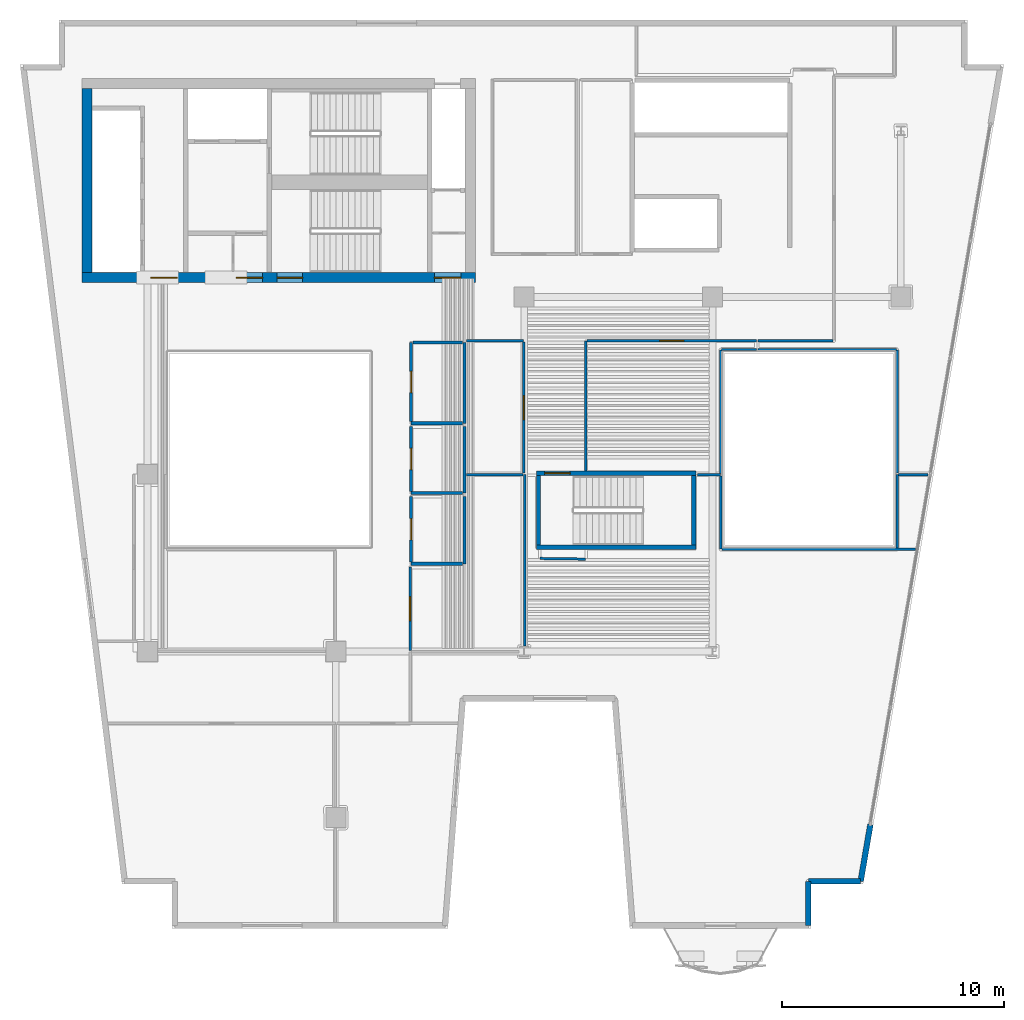
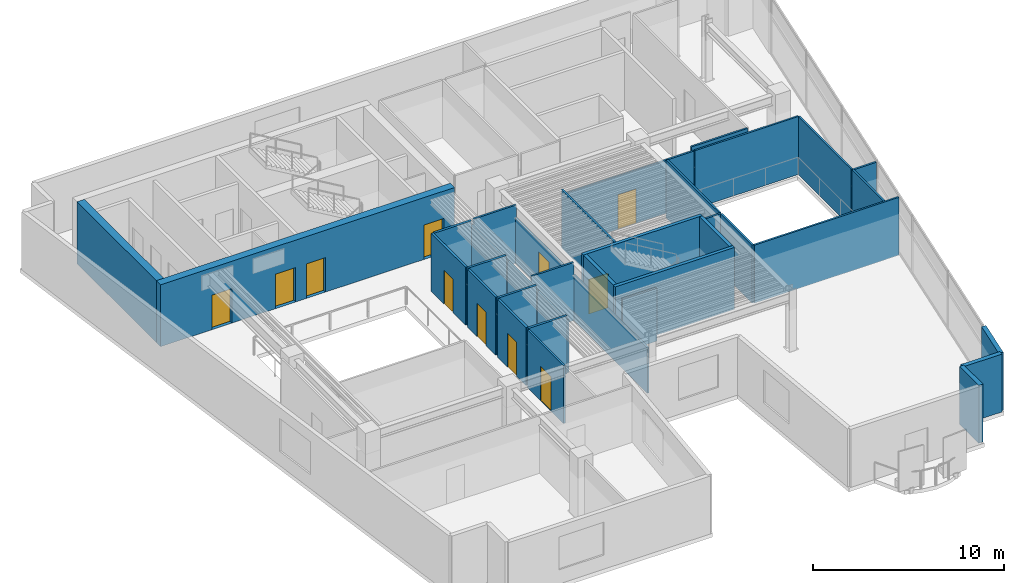
# One storey, part 4 of 10: 37 walls, 11 doors, 11 openings.
"""IFC4 building model written with IfcOpenShell, lengths in metres."""

from ifc_helpers import new_model, si_unit, direction, frame, frame_2d, origin, place, context, subcontext, project, spatial, rectangle, extrude, material, layer, layer_set, type_object, element, fill, save


model = new_model("IFC4")

# Units and contexts
model_context = context("Model", 3, precision=1e-05, world=origin(), true_north=direction((0.0, 1.0)))
body_context = subcontext(model_context, "Body", "Model", "MODEL_VIEW")
ifc_project = project(units=[si_unit("LENGTHUNIT", "METRE"), si_unit("AREAUNIT", "SQUARE_METRE"), si_unit("VOLUMEUNIT", "CUBIC_METRE"), si_unit("PLANEANGLEUNIT", "RADIAN"), si_unit("MASSUNIT", "GRAM", prefix="KILO")], contexts=[model_context])

# Site, building, storey
site_placement = place(None, origin())
site = spatial("IfcSite", under=ifc_project, at=site_placement, CompositionType="ELEMENT")
building_placement = place(site_placement, origin())
building = spatial("IfcBuilding", under=site, at=building_placement, Name="Caeloran Harvest Quay", CompositionType="ELEMENT")
storey_placement = place(building_placement, frame((0.0, 0.0, 183.75)))
storey = spatial("IfcBuildingStorey", under=building, at=storey_placement, Name="L43", CompositionType="ELEMENT", Elevation=183.75)

# Walls
ifc_material_1 = material(Name="Precast concrete C50/60", Category="concrete")
ifc_layer_1 = layer(ifc_material_1, 0.260009765625, Name="Precast concrete C50/60")
ifc_layer_set_1 = layer_set([ifc_layer_1], Name="Precast concrete C50/60")
wall_type_1 = type_object("IfcWallType", Name="ENV-WALL-EW-260", PredefinedType="STANDARD", material=ifc_layer_set_1)
wall_1_placement = place(storey_placement, frame((41.127685546875, 7.1923828125, 0.0), z_axis=(0.0, 0.0, 1.0), x_axis=(-0.169391215599, -0.98554889076, 0.0)))
element("IfcWall", 1, at=wall_1_placement, inside=storey, type_object=wall_type_1, Name="L43 Exterior Facade Corner Pier Wall 9B", PredefinedType="STANDARD", context=body_context, shape_type="SweptSolid", body=[
    extrude(rectangle(XDim=2.60009765625, YDim=0.260009765625, at=frame_2d((1.300048828125, 0.0))), origin(), (0.0, 0.0, 1.0), 3.699951171875),
])
wall_2_placement = place(storey_placement, frame((40.687255859375, 4.6298828125, 0.0), z_axis=(0.0, 0.0, 1.0), x_axis=(-1.0, 0.0, 0.0)))
element("IfcWall", 2, at=wall_2_placement, inside=storey, type_object=wall_type_1, Name="L43 Exterior Precast Concrete Facade Wall 10", PredefinedType="STANDARD", context=body_context, shape_type="SweptSolid", body=[
    extrude(rectangle(XDim=2.3642578125, YDim=0.260009765625, at=frame_2d((1.18212890625, 0.0))), origin(), (0.0, 0.0, 1.0), 3.699951171875),
])
wall_3_placement = place(storey_placement, frame((38.322998046875, 4.6298828125, 0.0), z_axis=(0.0, 0.0, 1.0), x_axis=(0.0, -1.0, 0.0)))
element("IfcWall", 3, at=wall_3_placement, inside=storey, type_object=wall_type_1, Name="L43 Exterior Precast Concrete Facade Wall 11", PredefinedType="STANDARD", context=body_context, shape_type="SweptSolid", body=[
    extrude(rectangle(XDim=2.0, YDim=0.260009765625, at=frame_2d((1.0, 0.0))), origin(), (0.0, 0.0, 1.0), 3.699951171875),
])
ifc_material_2 = material(Name="Single-Stud Acoustic Gypsum Office Partition", Category="gypsum")
ifc_layer_2 = layer(ifc_material_2, 0.112060546875, Name="Single-Stud Acoustic Gypsum Office Partition")
ifc_layer_set_2 = layer_set([ifc_layer_2], Name="Single-Stud Acoustic Gypsum Office Partition")
wall_type_2 = type_object("IfcWallType", Name="INT-WALL-PW-112", PredefinedType="PARTITIONING", material=ifc_layer_set_2)
wall_4_placement = place(storey_placement, frame((33.318115234375, 22.97998046875, 0.0), z_axis=(0.0, 0.0, 1.0), x_axis=(1.0, 0.0, 0.0)))
element("IfcWall", 4, at=wall_4_placement, inside=storey, type_object=wall_type_2, Name="Commodities Research Office Partition Wall", PredefinedType="PARTITIONING", context=body_context, shape_type="SweptSolid", body=[
    extrude(rectangle(XDim=1.052001953125, YDim=0.112060546875, at=frame_2d((0.52587890625, 0.0))), origin(), (0.0, 0.0, 1.0), 3.699951171875),
])
wall_5_placement = place(storey_placement, frame((34.3701171875, 22.9189453125, 0.0), z_axis=(0.0, 0.0, 1.0), x_axis=(0.0, -1.0, 0.0)))
element("IfcWall", 5, at=wall_5_placement, inside=storey, type_object=wall_type_2, Name="Commodities Research Office Partition Wall", PredefinedType="PARTITIONING", context=body_context, shape_type="SweptSolid", body=[
    extrude(rectangle(XDim=3.298828125, YDim=0.112060546875, at=frame_2d((1.6494140625, 0.0))), origin(), (0.0, 0.0, 1.0), 3.699951171875),
])
wall_6_placement = place(storey_placement, frame((34.430908203125, 19.6201171875, 0.0), z_axis=(0.0, 0.0, 1.0), x_axis=(1.0, 0.0, 0.0)))
element("IfcWall", 6, at=wall_6_placement, inside=storey, type_object=wall_type_2, Name="Commodities Research Office Partition Wall", PredefinedType="PARTITIONING", context=body_context, shape_type="SweptSolid", body=[
    extrude(rectangle(XDim=8.72607421875, YDim=0.112060546875, at=frame_2d((4.363037109375, 0.0))), origin(), (0.0, 0.0, 1.0), 3.699951171875),
])
wall_7_placement = place(storey_placement, frame((42.330078125, 19.680908203125, 0.0), z_axis=(0.0, 0.0, 1.0), x_axis=(0.0, 1.0, 0.0)))
element("IfcWall", 7, at=wall_7_placement, inside=storey, type_object=wall_type_2, Name="Commodities Research Office Partition Wall", PredefinedType="PARTITIONING", context=body_context, shape_type="SweptSolid", body=[
    extrude(rectangle(XDim=3.299072265625, YDim=0.112060546875, at=frame_2d((1.6494140625, 0.0))), origin(), (0.0, 0.0, 1.0), 3.699951171875),
])
wall_8_placement = place(storey_placement, frame((42.39111328125, 22.97998046875, 0.0), z_axis=(0.0, 0.0, 1.0), x_axis=(1.0, 0.0, 0.0)))
element("IfcWall", 8, at=wall_8_placement, inside=storey, type_object=wall_type_2, Name="Commodities Research Office Partition Wall", PredefinedType="PARTITIONING", context=body_context, shape_type="SweptSolid", body=[
    extrude(rectangle(XDim=1.343505859375, YDim=0.112060546875, at=frame_2d((0.671875, 0.0))), origin(), (0.0, 0.0, 1.0), 3.699951171875),
])
wall_9_placement = place(storey_placement, frame((25.52001953125, 15.248046875, 0.0), z_axis=(0.0, 0.0, 1.0), x_axis=(0.0, 1.0, 0.0)))
element("IfcWall", 9, at=wall_9_placement, inside=storey, type_object=wall_type_2, Name="Commodities Research Office Partition Wall", PredefinedType="PARTITIONING", context=body_context, shape_type="SweptSolid", body=[
    extrude(rectangle(XDim=7.73193359375, YDim=0.112060546875, at=frame_2d((3.865966796875, 0.0))), origin(), (0.0, 0.0, 1.0), 2.885009765625),
])
wall_10_placement = place(storey_placement, frame((26.219970703125, 19.199951171875, 0.0), z_axis=(0.0, 0.0, 1.0), x_axis=(0.999893773718, -0.014575365509, 0.0)))
element("IfcWall", 10, at=wall_10_placement, inside=storey, type_object=wall_type_2, Name="Commodities Research Office Partition Wall", PredefinedType="PARTITIONING", context=body_context, shape_type="SweptSolid", body=[
    extrude(rectangle(XDim=2.060302734375, YDim=0.112060546875, at=frame_2d((1.0302734375, 0.0))), origin(), (0.0, 0.0, 1.0), 3.385009765625),
])
wall_11_placement = place(storey_placement, frame((22.909912109375, 22.97998046875, 0.0), z_axis=(0.0, 0.0, 1.0), x_axis=(1.0, 0.0, 0.0)))
element("IfcWall", 11, at=wall_11_placement, inside=storey, type_object=wall_type_2, Name="Managing Director Corner Office Partition Wall", PredefinedType="PARTITIONING", context=body_context, shape_type="SweptSolid", body=[
    extrude(rectangle(XDim=2.549072265625, YDim=0.112060546875, at=frame_2d((1.2744140625, 0.0))), origin(), (0.0, 0.0, 1.0), 3.699951171875),
])

# Wall, opening, door
wall_12_placement = place(storey_placement, frame((20.35009765625, 15.048095703125, 0.0), z_axis=(0.0, 0.0, 1.0), x_axis=(0.0, 1.0, 0.0)))
wall_12 = element("IfcWall", 12, at=wall_12_placement, inside=storey, type_object=wall_type_2, Name="Managing Director Corner Office Partition Wall", PredefinedType="PARTITIONING", context=body_context, shape_type="SweptSolid", body=[
    extrude(rectangle(XDim=3.761962890625, YDim=0.112060546875, at=frame_2d((1.880859375, 0.0))), origin(), (0.0, 0.0, 1.0), 3.699951171875),
])
opening_1_placement = place(wall_12_placement, frame((1.3310546875, 0.0, 0.0)))
opening_1 = element("IfcOpeningElement", 13, at=opening_1_placement, cuts=wall_12, Name="Opening ID-04", PredefinedType="OPENING", context=body_context, shape_type="SweptSolid", body=[
    extrude(rectangle(XDim=1.10009765625, YDim=2.199951171875, at=frame_2d((0.550048828125, 1.10009765625))), frame((0.0, 0.06591796875, 0.0), z_axis=(0.0, -1.0, 0.0), x_axis=(1.0, 0.0, 0.0)), (0.0, 0.0, 1.0), 0.132080078125),
])
ifc_material_3 = material(Name="Acoustic Walnut Veneer Executive Door", Category="wood")
door_type_1 = type_object("IfcDoorType", Name="INTDOOR-ID-04", OperationType="NOTDEFINED", PredefinedType="DOOR", material=ifc_material_3)
door_1_placement = place(opening_1_placement, origin())
door_1 = element("IfcDoor", 14, at=door_1_placement, inside=storey, type_object=door_type_1, Name="Managing Director Corner Office Access Door", OperationType="SINGLE_SWING_LEFT", OverallHeight=2.199951171875, OverallWidth=1.10009765625, PredefinedType="DOOR", context=body_context, shape_type="SweptSolid", body=[
    extrude(rectangle(XDim=1.10009765625, YDim=2.199951171875, at=frame_2d((0.550048828125, 1.10009765625))), frame((0.0, 0.02490234375, 0.0), z_axis=(0.0, -1.0, 0.0), x_axis=(1.0, 0.0, 0.0)), (0.0, 0.0, 1.0), 0.050048828125),
])
fill(opening_1, door_1)

# Wall
wall_13_placement = place(storey_placement, frame((22.909912109375, 29.02001953125, 0.0), z_axis=(0.0, 0.0, 1.0), x_axis=(1.0, 0.0, 0.0)))
element("IfcWall", 15, at=wall_13_placement, inside=storey, type_object=wall_type_2, Name="Harbour View Boardroom Partition Wall", PredefinedType="PARTITIONING", context=body_context, shape_type="SweptSolid", body=[
    extrude(rectangle(XDim=2.570068359375, YDim=0.112060546875, at=frame_2d((1.28515625, 0.0))), origin(), (0.0, 0.0, 1.0), 3.699951171875),
])

# Wall, opening, door
wall_14_placement = place(storey_placement, frame((25.47998046875, 28.958984375, 0.0), z_axis=(0.0, 0.0, 1.0), x_axis=(0.0, -1.0, 0.0)))
wall_14 = element("IfcWall", 16, at=wall_14_placement, inside=storey, type_object=wall_type_2, Name="Harbour View Boardroom Partition Wall", PredefinedType="PARTITIONING", context=body_context, shape_type="SweptSolid", body=[
    extrude(rectangle(XDim=5.910888671875, YDim=0.112060546875, at=frame_2d((2.95556640625, 0.0))), origin(), (0.0, 0.0, 1.0), 2.885009765625),
])
opening_2_placement = place(wall_14_placement, frame((2.405517578125, 0.0, 0.0)))
opening_2 = element("IfcOpeningElement", 17, at=opening_2_placement, cuts=wall_14, Name="Opening ID-04", PredefinedType="OPENING", context=body_context, shape_type="SweptSolid", body=[
    extrude(rectangle(XDim=1.10009765625, YDim=2.199951171875, at=frame_2d((0.550048828125, 1.10009765625))), frame((0.0, 0.06591796875, 0.0), z_axis=(0.0, -1.0, 0.0), x_axis=(1.0, 0.0, 0.0)), (0.0, 0.0, 1.0), 0.132080078125),
])
door_2_placement = place(opening_2_placement, origin())
door_2 = element("IfcDoor", 18, at=door_2_placement, inside=storey, type_object=door_type_1, Name="Harbour View Boardroom Access Door", OperationType="SINGLE_SWING_RIGHT", OverallHeight=2.199951171875, OverallWidth=1.10009765625, PredefinedType="DOOR", context=body_context, shape_type="SweptSolid", body=[
    extrude(rectangle(XDim=1.10009765625, YDim=2.199951171875, at=frame_2d((0.550048828125, 1.10009765625))), frame((0.0, 0.02490234375, 0.0), z_axis=(0.0, -1.0, 0.0), x_axis=(1.0, 0.0, 0.0)), (0.0, 0.0, 1.0), 0.050048828125),
])
fill(opening_2, door_2)

# Wall
wall_15_placement = place(storey_placement, frame((28.280029296875, 23.155029296875, 0.0), z_axis=(0.0, 0.0, 1.0), x_axis=(0.0, 1.0, 0.0)))
element("IfcWall", 19, at=wall_15_placement, inside=storey, type_object=wall_type_2, Name="Client Hospitality Lounge Partition Wall", PredefinedType="PARTITIONING", context=body_context, shape_type="SweptSolid", body=[
    extrude(rectangle(XDim=5.864990234375, YDim=0.112060546875, at=frame_2d((2.9326171875, 0.0))), origin(), (0.0, 0.0, 1.0), 3.699951171875),
])

# Wall, opening, door
wall_16_placement = place(storey_placement, frame((28.341064453125, 29.02001953125, 0.0), z_axis=(0.0, 0.0, 1.0), x_axis=(1.0, 0.0, 0.0)))
wall_16 = element("IfcWall", 20, at=wall_16_placement, inside=storey, type_object=wall_type_2, Name="Client Hospitality Lounge Partition Wall", PredefinedType="PARTITIONING", context=body_context, shape_type="SweptSolid", body=[
    extrude(rectangle(XDim=7.638916015625, YDim=0.112060546875, at=frame_2d((3.8193359375, 0.0))), origin(), (0.0, 0.0, 1.0), 3.385009765625),
])
opening_3_placement = place(wall_16_placement, frame((3.26953125, 0.0, 0.0)))
opening_3 = element("IfcOpeningElement", 21, at=opening_3_placement, cuts=wall_16, Name="Opening ID-04", PredefinedType="OPENING", context=body_context, shape_type="SweptSolid", body=[
    extrude(rectangle(XDim=1.10009765625, YDim=2.199951171875, at=frame_2d((0.550048828125, 1.10009765625))), frame((0.0, 0.06591796875, 0.0), z_axis=(0.0, -1.0, 0.0), x_axis=(1.0, 0.0, 0.0)), (0.0, 0.0, 1.0), 0.132080078125),
])
door_3_placement = place(opening_3_placement, origin())
door_3 = element("IfcDoor", 22, at=door_3_placement, inside=storey, type_object=door_type_1, Name="Client Hospitality Lounge Access Door", OperationType="SINGLE_SWING_LEFT", OverallHeight=2.199951171875, OverallWidth=1.10009765625, PredefinedType="DOOR", context=body_context, shape_type="SweptSolid", body=[
    extrude(rectangle(XDim=1.10009765625, YDim=2.199951171875, at=frame_2d((0.550048828125, 1.10009765625))), frame((0.0, 0.02490234375, 0.0), z_axis=(0.0, -1.0, 0.0), x_axis=(1.0, 0.0, 0.0)), (0.0, 0.0, 1.0), 0.050048828125),
])
fill(opening_3, door_3)

# Walls
wall_17_placement = place(storey_placement, frame((35.97998046875, 28.6298828125, 0.0), z_axis=(0.0, 0.0, 1.0), x_axis=(-1.0, 0.0, 0.0)))
element("IfcWall", 23, at=wall_17_placement, inside=storey, type_object=wall_type_2, Name="Client Hospitality Lounge Partition Wall", PredefinedType="PARTITIONING", context=body_context, shape_type="SweptSolid", body=[
    extrude(rectangle(XDim=1.580078125, YDim=0.112060546875, at=frame_2d((0.7900390625, 0.0))), origin(), (0.0, 0.0, 1.0), 3.699951171875),
])
wall_18_placement = place(storey_placement, frame((34.3701171875, 28.60009765625, 0.0), z_axis=(0.0, 0.0, 1.0), x_axis=(0.0, -1.0, 0.0)))
element("IfcWall", 24, at=wall_18_placement, inside=storey, type_object=wall_type_2, Name="Client Hospitality Lounge Partition Wall", PredefinedType="PARTITIONING", context=body_context, shape_type="SweptSolid", body=[
    extrude(rectangle(XDim=5.55908203125, YDim=0.112060546875, at=frame_2d((2.779541015625, 0.0))), origin(), (0.0, 0.0, 1.0), 3.699951171875),
])
wall_19_placement = place(storey_placement, frame((42.330078125, 23.048095703125, 0.0), z_axis=(0.0, 0.0, 1.0), x_axis=(0.0, 1.0, 0.0)))
element("IfcWall", 25, at=wall_19_placement, inside=storey, type_object=wall_type_2, Name="Records Archive Laboratory Partition Wall", PredefinedType="PARTITIONING", context=body_context, shape_type="SweptSolid", body=[
    extrude(rectangle(XDim=5.552001953125, YDim=0.112060546875, at=frame_2d((2.77587890625, 0.0))), origin(), (0.0, 0.0, 1.0), 3.699951171875),
])
wall_20_placement = place(storey_placement, frame((42.300048828125, 28.6298828125, 0.0), z_axis=(0.0, 0.0, 1.0), x_axis=(-1.0, 0.0, 0.0)))
element("IfcWall", 26, at=wall_20_placement, inside=storey, type_object=wall_type_2, Name="Records Archive Laboratory Partition Wall", PredefinedType="PARTITIONING", context=body_context, shape_type="SweptSolid", body=[
    extrude(rectangle(XDim=6.251953125, YDim=0.112060546875, at=frame_2d((3.1259765625, 0.0))), origin(), (0.0, 0.0, 1.0), 3.699951171875),
])
wall_21_placement = place(storey_placement, frame((36.048095703125, 29.02001953125, 0.0), z_axis=(0.0, 0.0, 1.0), x_axis=(1.0, 0.0, 0.0)))
element("IfcWall", 27, at=wall_21_placement, inside=storey, type_object=wall_type_2, Name="Records Archive Laboratory Partition Wall", PredefinedType="PARTITIONING", context=body_context, shape_type="SweptSolid", body=[
    extrude(rectangle(XDim=3.40185546875, YDim=0.112060546875, at=frame_2d((1.700927734375, 0.0))), origin(), (0.0, 0.0, 1.0), 3.699951171875),
])
ifc_material_4 = material(Name="Moisture-Resistant Cement-Board Sanitary Partition", Category="gypsum")
ifc_layer_3 = layer(ifc_material_4, 0.139892578125, Name="Moisture-Resistant Cement-Board Sanitary Partition")
ifc_layer_set_3 = layer_set([ifc_layer_3], Name="Moisture-Resistant Cement-Board Sanitary Partition")
wall_type_3 = type_object("IfcWallType", Name="INT-WALL-PW-140", PredefinedType="PARTITIONING", material=ifc_layer_set_3)
wall_22_placement = place(storey_placement, frame((22.800048828125, 28.949951171875, 0.0), z_axis=(0.0, 0.0, 1.0), x_axis=(0.0, -1.0, 0.0)))
element("IfcWall", 28, at=wall_22_placement, inside=storey, type_object=wall_type_3, Name="L43 Male Washroom WC Partition Wall", PredefinedType="PARTITIONING", context=body_context, shape_type="SweptSolid", body=[
    extrude(rectangle(XDim=3.64990234375, YDim=0.139892578125, at=frame_2d((1.824951171875, 0.0))), origin(), (0.0, 0.0, 1.0), 3.385009765625),
])
wall_23_placement = place(storey_placement, frame((22.72509765625, 25.300048828125, 0.0), z_axis=(0.0, 0.0, 1.0), x_axis=(-1.0, 0.0, 0.0)))
element("IfcWall", 29, at=wall_23_placement, inside=storey, type_object=wall_type_3, Name="L43 Male Washroom WC Partition Wall", PredefinedType="PARTITIONING", context=body_context, shape_type="SweptSolid", body=[
    extrude(rectangle(XDim=2.3251953125, YDim=0.139892578125, at=frame_2d((1.16259765625, 0.0))), origin(), (0.0, 0.0, 1.0), 3.699951171875),
])

# Wall, opening, door
wall_24_placement = place(storey_placement, frame((20.39990234375, 25.375, 0.0), z_axis=(0.0, 0.0, 1.0), x_axis=(0.0, 1.0, 0.0)))
wall_24 = element("IfcWall", 30, at=wall_24_placement, inside=storey, type_object=wall_type_3, Name="L43 Male Washroom WC Partition Wall", PredefinedType="PARTITIONING", context=body_context, shape_type="SweptSolid", body=[
    extrude(rectangle(XDim=3.574951171875, YDim=0.139892578125, at=frame_2d((1.78759765625, 0.0))), origin(), (0.0, 0.0, 1.0), 3.699951171875),
])
opening_4_placement = place(wall_24_placement, frame((1.3125, 0.0, 0.0)))
opening_4 = element("IfcOpeningElement", 31, at=opening_4_placement, cuts=wall_24, Name="Opening WC-01", PredefinedType="OPENING", context=body_context, shape_type="SweptSolid", body=[
    extrude(rectangle(XDim=0.949951171875, YDim=2.14990234375, at=frame_2d((0.47509765625, 1.074951171875))), frame((0.0, 0.080078125, 0.0), z_axis=(0.0, -1.0, 0.0), x_axis=(1.0, 0.0, 0.0)), (0.0, 0.0, 1.0), 0.159912109375),
])
ifc_material_5 = material(Name="High-Pressure Laminate Moisture-Resistant Timber", Category="wood")
door_type_2 = type_object("IfcDoorType", Name="INTDOOR-WC-01", OperationType="NOTDEFINED", PredefinedType="DOOR", material=ifc_material_5)
door_4_placement = place(opening_4_placement, origin())
door_4 = element("IfcDoor", 32, at=door_4_placement, inside=storey, type_object=door_type_2, Name="L43 Male Washroom WC Access Door", OperationType="SINGLE_SWING_LEFT", OverallHeight=2.14990234375, OverallWidth=0.949951171875, PredefinedType="DOOR", context=body_context, shape_type="SweptSolid", body=[
    extrude(rectangle(XDim=0.949951171875, YDim=2.14990234375, at=frame_2d((0.47509765625, 1.074951171875))), frame((0.0, 0.02490234375, 0.0), z_axis=(0.0, -1.0, 0.0), x_axis=(1.0, 0.0, 0.0)), (0.0, 0.0, 1.0), 0.050048828125),
])
fill(opening_4, door_4)

# Walls
wall_25_placement = place(storey_placement, frame((20.47509765625, 28.949951171875, 0.0), z_axis=(0.0, 0.0, 1.0), x_axis=(1.0, 0.0, 0.0)))
element("IfcWall", 33, at=wall_25_placement, inside=storey, type_object=wall_type_3, Name="L43 Male Washroom WC Partition Wall", PredefinedType="PARTITIONING", context=body_context, shape_type="SweptSolid", body=[
    extrude(rectangle(XDim=2.25, YDim=0.139892578125, at=frame_2d((1.125, 0.0))), origin(), (0.0, 0.0, 1.0), 3.699951171875),
])
wall_26_placement = place(storey_placement, frame((22.800048828125, 25.14990234375, 0.0), z_axis=(0.0, 0.0, 1.0), x_axis=(0.0, -1.0, 0.0)))
element("IfcWall", 34, at=wall_26_placement, inside=storey, type_object=wall_type_3, Name="L43 Female Washroom WC Partition Wall", PredefinedType="PARTITIONING", context=body_context, shape_type="SweptSolid", body=[
    extrude(rectangle(XDim=3.0, YDim=0.139892578125, at=frame_2d((1.5, 0.0))), origin(), (0.0, 0.0, 1.0), 3.385009765625),
])
wall_27_placement = place(storey_placement, frame((22.72509765625, 22.14990234375, 0.0), z_axis=(0.0, 0.0, 1.0), x_axis=(-1.0, 0.0, 0.0)))
element("IfcWall", 35, at=wall_27_placement, inside=storey, type_object=wall_type_3, Name="L43 Female Washroom WC Partition Wall", PredefinedType="PARTITIONING", context=body_context, shape_type="SweptSolid", body=[
    extrude(rectangle(XDim=2.3251953125, YDim=0.139892578125, at=frame_2d((1.16259765625, 0.0))), origin(), (0.0, 0.0, 1.0), 3.699951171875),
])

# Wall, opening, door
wall_28_placement = place(storey_placement, frame((20.39990234375, 22.22509765625, 0.0), z_axis=(0.0, 0.0, 1.0), x_axis=(0.0, 1.0, 0.0)))
wall_28 = element("IfcWall", 36, at=wall_28_placement, inside=storey, type_object=wall_type_3, Name="L43 Female Washroom WC Partition Wall", PredefinedType="PARTITIONING", context=body_context, shape_type="SweptSolid", body=[
    extrude(rectangle(XDim=2.9248046875, YDim=0.139892578125, at=frame_2d((1.46240234375, 0.0))), origin(), (0.0, 0.0, 1.0), 3.699951171875),
])
opening_5_placement = place(wall_28_placement, frame((0.987548828125, 0.0, 0.0)))
opening_5 = element("IfcOpeningElement", 37, at=opening_5_placement, cuts=wall_28, Name="Opening WC-01", PredefinedType="OPENING", context=body_context, shape_type="SweptSolid", body=[
    extrude(rectangle(XDim=0.949951171875, YDim=2.14990234375, at=frame_2d((0.47509765625, 1.074951171875))), frame((0.0, 0.080078125, 0.0), z_axis=(0.0, -1.0, 0.0), x_axis=(1.0, 0.0, 0.0)), (0.0, 0.0, 1.0), 0.159912109375),
])
door_5_placement = place(opening_5_placement, origin())
door_5 = element("IfcDoor", 38, at=door_5_placement, inside=storey, type_object=door_type_2, Name="L43 Female Washroom WC Access Door", OperationType="SINGLE_SWING_RIGHT", OverallHeight=2.14990234375, OverallWidth=0.949951171875, PredefinedType="DOOR", context=body_context, shape_type="SweptSolid", body=[
    extrude(rectangle(XDim=0.949951171875, YDim=2.14990234375, at=frame_2d((0.47509765625, 1.074951171875))), frame((0.0, 0.02490234375, 0.0), z_axis=(0.0, -1.0, 0.0), x_axis=(1.0, 0.0, 0.0)), (0.0, 0.0, 1.0), 0.050048828125),
])
fill(opening_5, door_5)

# Walls
wall_29_placement = place(storey_placement, frame((22.800048828125, 22.0, 0.0), z_axis=(0.0, 0.0, 1.0), x_axis=(0.0, -1.0, 0.0)))
element("IfcWall", 39, at=wall_29_placement, inside=storey, type_object=wall_type_3, Name="L43 Accessible Unisex Washroom WC Partition Wall", PredefinedType="PARTITIONING", context=body_context, shape_type="SweptSolid", body=[
    extrude(rectangle(XDim=3.0400390625, YDim=0.139892578125, at=frame_2d((1.52001953125, 0.0))), origin(), (0.0, 0.0, 1.0), 3.385009765625),
])
wall_30_placement = place(storey_placement, frame((22.72509765625, 18.9599609375, 0.0), z_axis=(0.0, 0.0, 1.0), x_axis=(-1.0, 0.0, 0.0)))
element("IfcWall", 40, at=wall_30_placement, inside=storey, type_object=wall_type_3, Name="L43 Accessible Unisex Washroom WC Partition Wall", PredefinedType="PARTITIONING", context=body_context, shape_type="SweptSolid", body=[
    extrude(rectangle(XDim=2.3251953125, YDim=0.139892578125, at=frame_2d((1.16259765625, 0.0))), origin(), (0.0, 0.0, 1.0), 3.699951171875),
])

# Wall, opening, door
wall_31_placement = place(storey_placement, frame((20.39990234375, 19.034912109375, 0.0), z_axis=(0.0, 0.0, 1.0), x_axis=(0.0, 1.0, 0.0)))
wall_31 = element("IfcWall", 41, at=wall_31_placement, inside=storey, type_object=wall_type_3, Name="L43 Accessible Unisex Washroom WC Partition Wall", PredefinedType="PARTITIONING", context=body_context, shape_type="SweptSolid", body=[
    extrude(rectangle(XDim=2.965087890625, YDim=0.139892578125, at=frame_2d((1.482421875, 0.0))), origin(), (0.0, 0.0, 1.0), 3.699951171875),
])
opening_6_placement = place(wall_31_placement, frame((1.007568359375, 0.0, 0.0)))
opening_6 = element("IfcOpeningElement", 42, at=opening_6_placement, cuts=wall_31, Name="Opening WC-01", PredefinedType="OPENING", context=body_context, shape_type="SweptSolid", body=[
    extrude(rectangle(XDim=0.949951171875, YDim=2.14990234375, at=frame_2d((0.47509765625, 1.074951171875))), frame((0.0, 0.080078125, 0.0), z_axis=(0.0, -1.0, 0.0), x_axis=(1.0, 0.0, 0.0)), (0.0, 0.0, 1.0), 0.159912109375),
])
door_6_placement = place(opening_6_placement, origin())
door_6 = element("IfcDoor", 43, at=door_6_placement, inside=storey, type_object=door_type_2, Name="L43 Accessible Unisex Washroom WC Access Door", OperationType="SINGLE_SWING_LEFT", OverallHeight=2.14990234375, OverallWidth=0.949951171875, PredefinedType="DOOR", context=body_context, shape_type="SweptSolid", body=[
    extrude(rectangle(XDim=0.949951171875, YDim=2.14990234375, at=frame_2d((0.47509765625, 1.074951171875))), frame((0.0, 0.02490234375, 0.0), z_axis=(0.0, -1.0, 0.0), x_axis=(1.0, 0.0, 0.0)), (0.0, 0.0, 1.0), 0.050048828125),
])
fill(opening_6, door_6)

# Wall, openings, doors
ifc_material_6 = material(Name="Concrete C60/75", Category="concrete")
ifc_layer_4 = layer(ifc_material_6, 0.449951171875, Name="Concrete C60/75")
ifc_layer_set_4 = layer_set([ifc_layer_4], Name="Concrete C60/75")
wall_type_4 = type_object("IfcWallType", Name="STR-WALL-CW-450", PredefinedType="SHEAR", material=ifc_layer_set_4)
wall_32_placement = place(storey_placement, frame((5.550048828125, 31.875, 0.0), z_axis=(0.0, 0.0, 1.0), x_axis=(1.0, 0.0, 0.0)))
wall_32 = element("IfcWall", 44, at=wall_32_placement, inside=storey, type_object=wall_type_4, Name="L43 Rear Core Shear Wall S", PredefinedType="SHEAR", context=body_context, shape_type="SweptSolid", body=[
    extrude(rectangle(XDim=17.75, YDim=0.449951171875, at=frame_2d((8.875, 0.0))), origin(), (0.0, 0.0, 1.0), 3.949951171875),
])
opening_7_placement = place(wall_32_placement, frame((3.10009765625, 0.0, 0.0)))
opening_7 = element("IfcOpeningElement", 45, at=opening_7_placement, cuts=wall_32, Name="Opening FD-01", PredefinedType="OPENING", context=body_context, shape_type="SweptSolid", body=[
    extrude(rectangle(XDim=1.199951171875, YDim=2.199951171875, at=frame_2d((0.60009765625, 1.10009765625))), frame((0.0, 0.23486328125, 0.0), z_axis=(0.0, -1.0, 0.0), x_axis=(1.0, 0.0, 0.0)), (0.0, 0.0, 1.0), 0.469970703125),
])
opening_8_placement = place(wall_32_placement, frame((6.949951171875, 0.0, 0.0)))
opening_8 = element("IfcOpeningElement", 46, at=opening_8_placement, cuts=wall_32, Name="Opening FD-01", PredefinedType="OPENING", context=body_context, shape_type="SweptSolid", body=[
    extrude(rectangle(XDim=1.199951171875, YDim=2.199951171875, at=frame_2d((0.60009765625, 1.10009765625))), frame((0.0, 0.23486328125, 0.0), z_axis=(0.0, -1.0, 0.0), x_axis=(1.0, 0.0, 0.0)), (0.0, 0.0, 1.0), 0.469970703125),
])
opening_9_placement = place(wall_32_placement, frame((8.800048828125, 0.0, 0.0)))
opening_9 = element("IfcOpeningElement", 47, at=opening_9_placement, cuts=wall_32, Name="Opening SD-01", PredefinedType="OPENING", context=body_context, shape_type="SweptSolid", body=[
    extrude(rectangle(XDim=1.14990234375, YDim=2.199951171875, at=frame_2d((0.574951171875, 1.10009765625))), frame((0.0, 0.23486328125, 0.0), z_axis=(0.0, -1.0, 0.0), x_axis=(1.0, 0.0, 0.0)), (0.0, 0.0, 1.0), 0.469970703125),
])
opening_10_placement = place(wall_32_placement, frame((15.89990234375, 0.0, 0.0)))
opening_10 = element("IfcOpeningElement", 48, at=opening_10_placement, cuts=wall_32, Name="Opening FD-01", PredefinedType="OPENING", context=body_context, shape_type="SweptSolid", body=[
    extrude(rectangle(XDim=1.199951171875, YDim=2.199951171875, at=frame_2d((0.60009765625, 1.10009765625))), frame((0.0, 0.23486328125, 0.0), z_axis=(0.0, -1.0, 0.0), x_axis=(1.0, 0.0, 0.0)), (0.0, 0.0, 1.0), 0.469970703125),
])
ifc_material_7 = material(Name="Steel", Category="steel")
door_type_3 = type_object("IfcDoorType", Name="INTDOOR-FD-01", OperationType="NOTDEFINED", PredefinedType="DOOR", material=ifc_material_7)
door_7_placement = place(opening_7_placement, origin())
door_7 = element("IfcDoor", 49, at=door_7_placement, inside=storey, type_object=door_type_3, Name="L43 High-Rise Lift Lobby Fire Door", OperationType="SINGLE_SWING_LEFT", OverallHeight=2.199951171875, OverallWidth=1.199951171875, PredefinedType="DOOR", context=body_context, shape_type="SweptSolid", body=[
    extrude(rectangle(XDim=1.199951171875, YDim=2.199951171875, at=frame_2d((0.60009765625, 1.10009765625))), frame((0.0, 0.02490234375, 0.0), z_axis=(0.0, -1.0, 0.0), x_axis=(1.0, 0.0, 0.0)), (0.0, 0.0, 1.0), 0.050048828125),
])
fill(opening_7, door_7)
door_8_placement = place(opening_8_placement, origin())
door_8 = element("IfcDoor", 50, at=door_8_placement, inside=storey, type_object=door_type_3, Name="L43 Firefighting Lobby Vestibule Fire Door", OperationType="SINGLE_SWING_RIGHT", OverallHeight=2.199951171875, OverallWidth=1.199951171875, PredefinedType="DOOR", context=body_context, shape_type="SweptSolid", body=[
    extrude(rectangle(XDim=1.199951171875, YDim=2.199951171875, at=frame_2d((0.60009765625, 1.10009765625))), frame((0.0, 0.02490234375, 0.0), z_axis=(0.0, -1.0, 0.0), x_axis=(1.0, 0.0, 0.0)), (0.0, 0.0, 1.0), 0.050048828125),
])
fill(opening_8, door_8)
door_9_placement = place(opening_10_placement, origin())
door_9 = element("IfcDoor", 51, at=door_9_placement, inside=storey, type_object=door_type_3, Name="L43 Service Lift Lobby Fire Door", OperationType="SINGLE_SWING_RIGHT", OverallHeight=2.199951171875, OverallWidth=1.199951171875, PredefinedType="DOOR", context=body_context, shape_type="SweptSolid", body=[
    extrude(rectangle(XDim=1.199951171875, YDim=2.199951171875, at=frame_2d((0.60009765625, 1.10009765625))), frame((0.0, 0.02490234375, 0.0), z_axis=(0.0, -1.0, 0.0), x_axis=(1.0, 0.0, 0.0)), (0.0, 0.0, 1.0), 0.050048828125),
])
fill(opening_10, door_9)
door_type_4 = type_object("IfcDoorType", Name="INTDOOR-SD-01", OperationType="NOTDEFINED", PredefinedType="DOOR", material=ifc_material_7)
door_10_placement = place(opening_9_placement, origin())
door_10 = element("IfcDoor", 52, at=door_10_placement, inside=storey, type_object=door_type_4, Name="L43 Protected Stair ST-C2 Exit Door", OperationType="SINGLE_SWING_LEFT", OverallHeight=2.199951171875, OverallWidth=1.14990234375, PredefinedType="DOOR", context=body_context, shape_type="SweptSolid", body=[
    extrude(rectangle(XDim=1.14990234375, YDim=2.199951171875, at=frame_2d((0.574951171875, 1.10009765625))), frame((0.0, 0.02490234375, 0.0), z_axis=(0.0, -1.0, 0.0), x_axis=(1.0, 0.0, 0.0)), (0.0, 0.0, 1.0), 0.050048828125),
])
fill(opening_9, door_10)

# Walls
wall_33_placement = place(storey_placement, frame((5.77490234375, 32.10009765625, 0.0), z_axis=(0.0, 0.0, 1.0), x_axis=(0.0, 1.0, 0.0)))
element("IfcWall", 53, at=wall_33_placement, inside=storey, type_object=wall_type_4, Name="L43 Rear Core Shear Wall W", PredefinedType="SHEAR", context=body_context, shape_type="SweptSolid", body=[
    extrude(rectangle(XDim=8.2998046875, YDim=0.449951171875, at=frame_2d((4.14990234375, 0.0))), origin(), (0.0, 0.0, 1.0), 3.949951171875),
])
ifc_layer_5 = layer(ifc_material_6, 0.199951171875, Name="Concrete C60/75")
ifc_layer_set_5 = layer_set([ifc_layer_5], Name="Concrete C60/75")
wall_type_5 = type_object("IfcWallType", Name="STR-WALL-SW-200", PredefinedType="SHEAR", material=ifc_layer_set_5)
wall_34_placement = place(storey_placement, frame((26.050048828125, 19.699951171875, 0.0), z_axis=(0.0, 0.0, 1.0), x_axis=(1.0, 0.0, 0.0)))
element("IfcWall", 54, at=wall_34_placement, inside=storey, type_object=wall_type_5, Name="L43 Stair ST-W1 S RC Shaft Shear Wall", PredefinedType="SHEAR", context=body_context, shape_type="SweptSolid", body=[
    extrude(rectangle(XDim=7.199951171875, YDim=0.199951171875, at=frame_2d((3.60009765625, 0.0))), origin(), (0.0, 0.0, 1.0), 3.949951171875),
])

# Wall, opening, door
wall_35_placement = place(storey_placement, frame((26.050048828125, 23.050048828125, 0.0), z_axis=(0.0, 0.0, 1.0), x_axis=(1.0, 0.0, 0.0)))
wall_35 = element("IfcWall", 55, at=wall_35_placement, inside=storey, type_object=wall_type_5, Name="L43 Stair ST-W1 N RC Shaft Shear Wall", PredefinedType="SHEAR", context=body_context, shape_type="SweptSolid", body=[
    extrude(rectangle(XDim=7.199951171875, YDim=0.199951171875, at=frame_2d((3.60009765625, 0.0))), origin(), (0.0, 0.0, 1.0), 3.949951171875),
])
opening_11_placement = place(wall_35_placement, frame((0.3798828125, 0.0, 0.0)))
opening_11 = element("IfcOpeningElement", 56, at=opening_11_placement, cuts=wall_35, Name="Opening SD-01", PredefinedType="OPENING", context=body_context, shape_type="SweptSolid", body=[
    extrude(rectangle(XDim=1.14990234375, YDim=2.199951171875, at=frame_2d((0.574951171875, 1.10009765625))), frame((0.0, 0.10986328125, 0.0), z_axis=(0.0, -1.0, 0.0), x_axis=(1.0, 0.0, 0.0)), (0.0, 0.0, 1.0), 0.219970703125),
])
door_11_placement = place(opening_11_placement, origin())
door_11 = element("IfcDoor", 57, at=door_11_placement, inside=storey, type_object=door_type_4, Name="L43 Protected Exit Stair ST-W1 Fire Door", OperationType="SINGLE_SWING_RIGHT", OverallHeight=2.199951171875, OverallWidth=1.14990234375, PredefinedType="DOOR", context=body_context, shape_type="SweptSolid", body=[
    extrude(rectangle(XDim=1.14990234375, YDim=2.199951171875, at=frame_2d((0.574951171875, 1.10009765625))), frame((0.0, 0.02490234375, 0.0), z_axis=(0.0, -1.0, 0.0), x_axis=(1.0, 0.0, 0.0)), (0.0, 0.0, 1.0), 0.050048828125),
])
fill(opening_11, door_11)

# Walls
for number, where, z_axis, x_axis, name in (
    (58, (26.14990234375, 19.81005859375, 0.0), (0.0, 0.0, 1.0), (0.0, 1.0, 0.0), "L43 Stair ST-W1 W RC Shaft Shear Wall"),
    (59, (33.14990234375, 19.81005859375, 0.0), (0.0, 0.0, 1.0), (0.0, 1.0, 0.0), "L43 Stair ST-W1 E RC Shaft Shear Wall"),
):
    element("IfcWall", number, at=place(storey_placement, frame(where, z_axis=z_axis, x_axis=x_axis)), inside=storey, type_object=wall_type_5, Name=name, PredefinedType="SHEAR", context=body_context, shape_type="SweptSolid", body=[
        extrude(rectangle(XDim=3.1298828125, YDim=0.199951171875, at=frame_2d((1.56494140625, 0.0))), origin(), (0.0, 0.0, 1.0), 3.949951171875),
    ])

save(model, "model.ifc")
